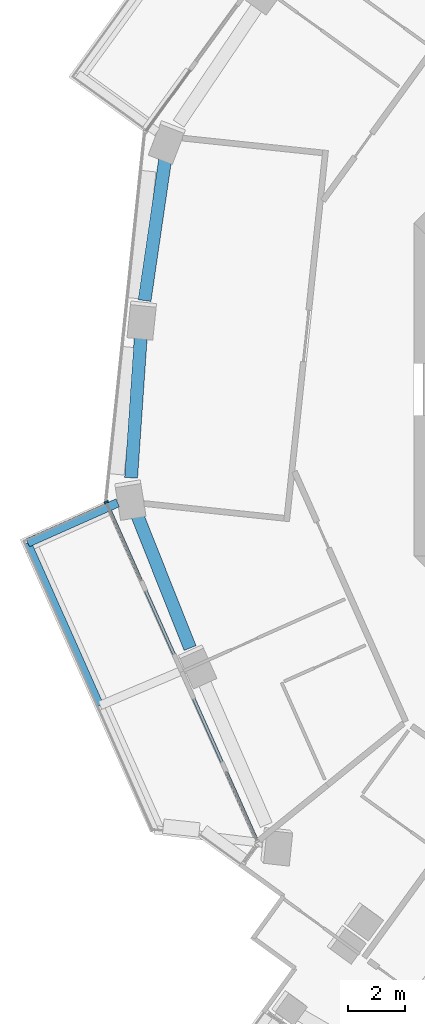
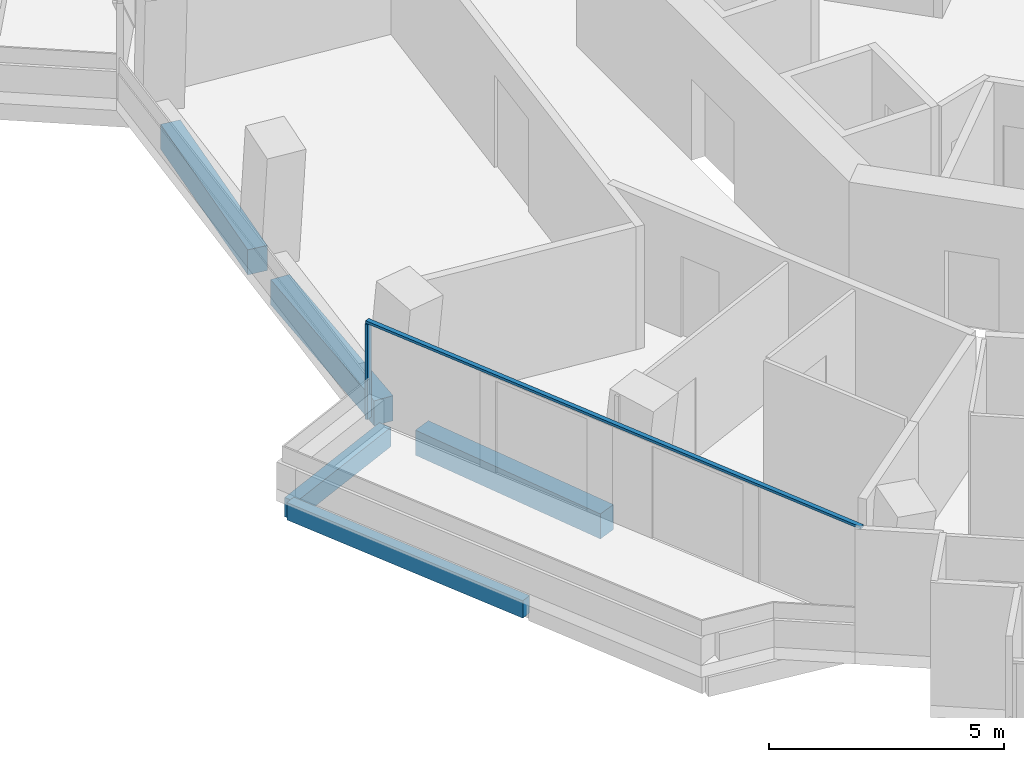
# One storey, part 4 of 23: 5 beams, 2 members, 1 element without a shape of its own.
"""IFC4 building model written with IfcOpenShell, lengths in metres."""

from ifc_helpers import new_model, si_unit, direction, frame, origin, origin_2d, place, context, subcontext, project, spatial, rectangle, extrude, material, layer, layer_set, material_profile, profile_set, type_object, element, aggregate, save


model = new_model("IFC4")

# Units and contexts
model_context = context("Model", 3, precision=1e-05, world=origin(), true_north=direction((0.0, 1.0)))
body_context = subcontext(model_context, "Body", "Model", "MODEL_VIEW")
ifc_project = project(units=[si_unit("LENGTHUNIT", "METRE"), si_unit("AREAUNIT", "SQUARE_METRE"), si_unit("VOLUMEUNIT", "CUBIC_METRE"), si_unit("PLANEANGLEUNIT", "RADIAN"), si_unit("MASSUNIT", "GRAM", prefix="KILO")], contexts=[model_context])

# Site, building, storey
site_placement = place(None, origin())
site = spatial("IfcSite", under=ifc_project, at=site_placement, CompositionType="ELEMENT")
building_placement = place(site_placement, origin())
building = spatial("IfcBuilding", under=site, at=building_placement, Name="Verdalira Terraces Hotel", CompositionType="ELEMENT")
storey_placement = place(building_placement, frame((0.0, 0.0, 133.0)))
storey = spatial("IfcBuildingStorey", under=building, at=storey_placement, Name="L31", CompositionType="ELEMENT", Elevation=133.0)

# Beams
ifc_material_1 = material(Name="Concrete C40", Category="concrete")
ifc_material_profile_1 = material_profile(ifc_material_1, rectangle(XDim=0.300049, YDim=0.5, at=origin_2d()), Name="RC 300X500")
ifc_profile_set_1 = profile_set([ifc_material_profile_1], Name="Concrete C40")
beam_type_1 = type_object("IfcBeamType", Name="Balcony cantilever beam RC 300X500 C40", PredefinedType="BEAM", material=ifc_profile_set_1)
beam_1_placement = place(storey_placement, frame((-24.326172, -3.950195, -0.560059), z_axis=(-0.913579428, -0.406660336, 0.0), x_axis=(0.406660336, -0.913579428, 0.0)))
element("IfcBeam", 1, at=beam_1_placement, inside=storey, type_object=beam_type_1, Name="Balcony cantilever beam R13-1", PredefinedType="BEAM", context=body_context, shape_type="SweptSolid", body=[
    extrude(rectangle(XDim=0.300049, YDim=0.5, at=origin_2d()), origin(), (0.0, 0.0, 1.0), 3.428711),
])
ifc_material_2 = material(Name="Concrete C40", Category="concrete")
ifc_material_profile_2 = material_profile(ifc_material_2, rectangle(XDim=0.25, YDim=0.449951, at=origin_2d()), Name="RC 250X450")
ifc_profile_set_2 = profile_set([ifc_material_profile_2], Name="Concrete C40")
beam_type_2 = type_object("IfcBeamType", Name="Balcony edge beam RC 250X450 C40", PredefinedType="BEAM", material=ifc_profile_set_2)
beam_2_placement = place(storey_placement, frame((-27.458496, -5.344482, -0.534912), z_axis=(0.406744834, -0.913541811, 0.0), x_axis=(0.913541811, 0.406744834, 0.0)))
element("IfcBeam", 2, at=beam_2_placement, inside=storey, type_object=beam_type_2, Name="Balcony edge beam R13-1", PredefinedType="BEAM", context=body_context, shape_type="SweptSolid", body=[
    extrude(rectangle(XDim=0.25, YDim=0.449951, at=origin_2d()), origin(), (0.0, 0.0, 1.0), 6.200439),
])

# Curtain wall, members
ifc_material_3 = material(Name="Clear glass", Category="glass")
ifc_layer = layer(ifc_material_3, 0.14990234375)
ifc_layer_set = layer_set([ifc_layer], Name="CW1 curtain wall")
curtain_wall_type = type_object("IfcCurtainWallType", Name="CW1 curtain wall", PredefinedType="NOTDEFINED", material=ifc_layer_set)
curtain_wall_placement = place(storey_placement, origin())
curtain_wall = element("IfcCurtainWall", 3, at=curtain_wall_placement, inside=storey, type_object=curtain_wall_type, Name="CW1 curtain wall L31 edge 13", PredefinedType="NOTDEFINED")
ifc_material_4 = material(Name="Terracotta frame", Category="masonry")
ifc_material_profile_3 = material_profile(ifc_material_4, rectangle(XDim=0.060059, YDim=0.149902, at=origin_2d()), Name="MU 60x150")
ifc_profile_set_3 = profile_set([ifc_material_profile_3], Name="Terracotta frame")
member_type_1 = type_object("IfcMemberType", Name="CW1 mullion 60x150", PredefinedType="MULLION", material=ifc_profile_set_3)
member_1_placement = place(storey_placement, frame((-24.724121, -3.925537, 0.0), z_axis=(0.0, 0.0, 1.0), x_axis=(0.406736643, -0.913545458, 0.0)))
member_1 = element("IfcMember", 4, at=member_1_placement, type_object=member_type_1, Name="CW1 mullion", PredefinedType="MULLION", context=body_context, shape_type="SweptSolid", body=[
    extrude(rectangle(XDim=0.060059, YDim=0.149902, at=origin_2d()), origin(), (0.0, 0.0, 1.0), 2.475098),
])
ifc_material_5 = material(Name="Terracotta frame", Category="masonry")
ifc_material_profile_4 = material_profile(ifc_material_5, rectangle(XDim=0.110107, YDim=0.064941, at=origin_2d()), Name="TR 65x110")
ifc_profile_set_4 = profile_set([ifc_material_profile_4], Name="Terracotta frame")
member_type_2 = type_object("IfcMemberType", Name="CW1 transom 65x110", PredefinedType="USERDEFINED", material=ifc_profile_set_4)
member_2_placement = place(storey_placement, frame((-24.736328, -3.898193, 2.507568), z_axis=(0.406734302, -0.9135465, 0.0), x_axis=(0.9135465, 0.406734302, 0.0)))
member_2 = element("IfcMember", 5, at=member_2_placement, type_object=member_type_2, Name="CW1 transom", ObjectType="TRANSOM", PredefinedType="USERDEFINED", context=body_context, shape_type="SweptSolid", body=[
    extrude(rectangle(XDim=0.110107, YDim=0.064941, at=origin_2d()), origin(), (0.0, 0.0, 1.0), 13.000244),
])
aggregate(curtain_wall, [member_1, member_2])

# Beams
ifc_material_6 = material(Name="Concrete C50", Category="concrete")
ifc_material_profile_5 = material_profile(ifc_material_6, rectangle(XDim=0.449951, YDim=0.649902, at=origin_2d()), Name="RC 450X650")
ifc_profile_set_5 = profile_set([ifc_material_profile_5], Name="Concrete C50")
beam_type_3 = type_object("IfcBeamType", Name="Spandrel beam RC 450X650 C50", PredefinedType="SPANDREL", material=ifc_profile_set_5)
beam_3_placement = place(storey_placement, frame((-22.663086, 8.059814, -0.63501), z_axis=(-0.144664349, -0.989480786, 0.0), x_axis=(0.989480786, -0.144664349, 0.0)))
element("IfcBeam", 6, at=beam_3_placement, inside=storey, type_object=beam_type_3, Name="Spandrel beam B04", PredefinedType="SPANDREL", context=body_context, shape_type="SweptSolid", body=[
    extrude(rectangle(XDim=0.449951, YDim=0.649902, at=origin_2d()), origin(), (0.0, 0.0, 1.0), 5.015625),
])
beam_4_placement = place(storey_placement, frame((-23.514404, 1.921143, -0.63501), z_axis=(-0.068435992, -0.997655509, 0.0), x_axis=(0.997655509, -0.068435992, 0.0)))
element("IfcBeam", 7, at=beam_4_placement, inside=storey, type_object=beam_type_3, Name="Spandrel beam B05", PredefinedType="SPANDREL", context=body_context, shape_type="SweptSolid", body=[
    extrude(rectangle(XDim=0.449951, YDim=0.649902, at=origin_2d()), origin(), (0.0, 0.0, 1.0), 5.012207),
])
beam_5_placement = place(storey_placement, frame((-23.656738, -4.351562, -0.63501), z_axis=(0.369459573, -0.929246805, 0.0), x_axis=(0.929246805, 0.369459573, 0.0)))
element("IfcBeam", 8, at=beam_5_placement, inside=storey, type_object=beam_type_3, Name="Spandrel beam B06", PredefinedType="SPANDREL", context=body_context, shape_type="SweptSolid", body=[
    extrude(rectangle(XDim=0.449951, YDim=0.649902, at=origin_2d()), origin(), (0.0, 0.0, 1.0), 5.015625),
])

save(model, "model.ifc")
